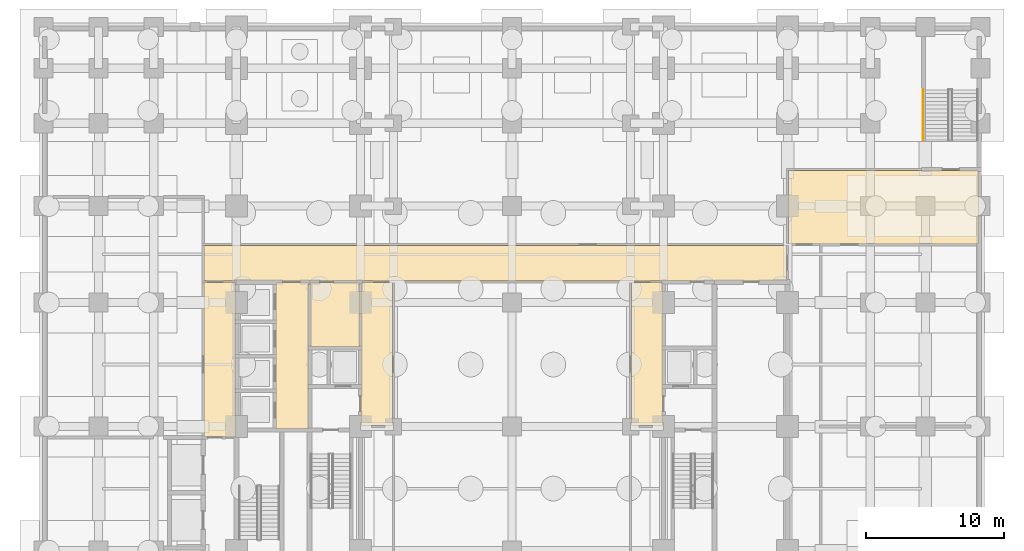
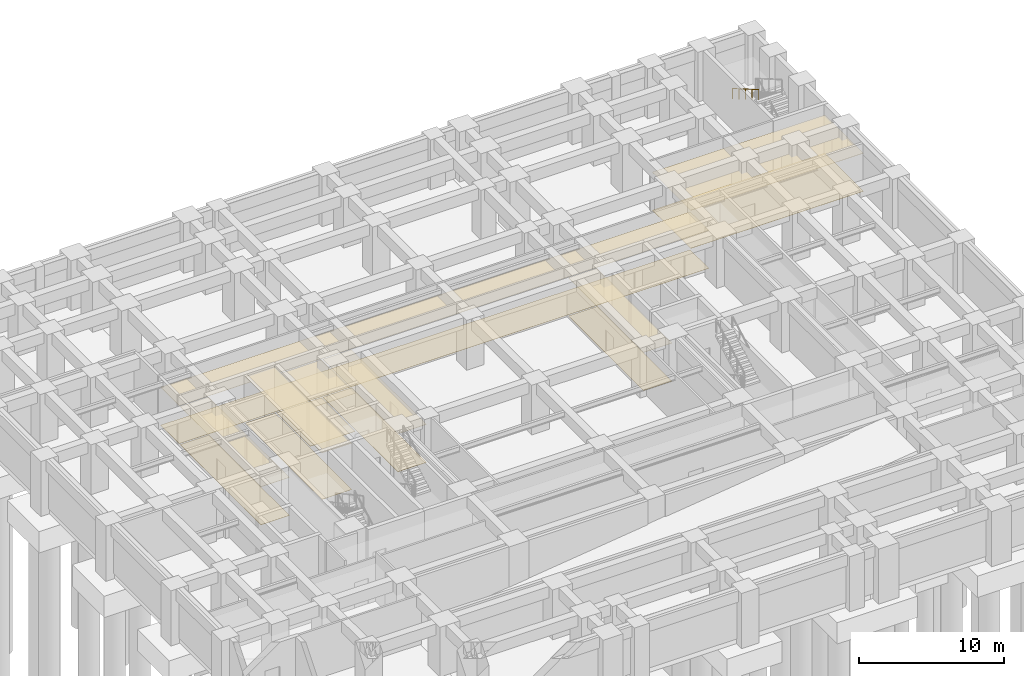
# One storey, part 13 of 16: 14 coverings, 1 railing.
"""IFC4 building model written with IfcOpenShell, lengths in metres."""

from ifc_helpers import new_model, si_unit, direction, frame, origin, origin_2d, place, context, subcontext, project, spatial, polyline, rectangle, outline, extrude, material, layer, layer_set, type_object, element, save


model = new_model("IFC4")

# Units and contexts
model_context = context("Model", 3, precision=1e-05, world=origin(), true_north=direction((0.0, 1.0)))
body_context = subcontext(model_context, "Body", "Model", "MODEL_VIEW")
ifc_project = project(units=[si_unit("LENGTHUNIT", "METRE"), si_unit("AREAUNIT", "SQUARE_METRE"), si_unit("VOLUMEUNIT", "CUBIC_METRE"), si_unit("PLANEANGLEUNIT", "RADIAN"), si_unit("MASSUNIT", "GRAM", prefix="KILO")], contexts=[model_context])

# Site, building, storey
site_placement = place(None, origin())
site = spatial("IfcSite", under=ifc_project, at=site_placement, CompositionType="ELEMENT")
building_placement = place(site_placement, origin())
building = spatial("IfcBuilding", under=site, at=building_placement, Name="Zulmaris Gate Convention Tower", CompositionType="ELEMENT")
storey_placement = place(building_placement, frame((0.0, 0.0, -9.10009765625)))
storey = spatial("IfcBuildingStorey", under=building, at=storey_placement, Name="B2", CompositionType="ELEMENT", Elevation=-9.10009765625)

# Coverings
ifc_material_1 = material(Name="Mineral Fibre Acoustic Ceiling Tile")
ifc_layer_1 = layer(ifc_material_1, 0.02001953125, Name="Mineral Fibre Acoustic Ceiling Tile")
ifc_layer_set_1 = layer_set([ifc_layer_1], Name="Mineral Fibre Acoustic Ceiling Tile")
covering_type_1 = type_object("IfcCoveringType", Name="CLG-ACOUSTIC-600", PredefinedType="CEILING", material=ifc_layer_set_1)
covering_1_placement = place(storey_placement, frame((0.0, 0.0, 3.210205078125)))
element("IfcCovering", 1, at=covering_1_placement, inside=storey, type_object=covering_type_1, Name="CLG-B2-R11", PredefinedType="CEILING", context=body_context, shape_type="SweptSolid", body=[
    extrude(outline(polyline([(-14.639892578125, 5.760009765625), (-11.06005859375, 5.760009765625), (-11.06005859375, 10.43994140625), (-14.639892578125, 10.43994140625), (-14.639892578125, 5.760009765625)])), origin(), (0.0, 0.0, 1.0), 0.019775390625),
])
covering_2_placement = place(storey_placement, frame((0.0, 0.0, 3.920166015625)))
element("IfcCovering", 2, at=covering_2_placement, inside=storey, type_object=covering_type_1, Name="CLG-B2-R15", PredefinedType="CEILING", context=body_context, shape_type="SweptSolid", body=[
    extrude(outline(polyline([(-17.139892578125, -0.18994140625), (-14.760009765625, -0.18994140625), (-14.760009765625, 10.43994140625), (-17.139892578125, 10.43994140625), (-17.139892578125, -0.18994140625)])), origin(), (0.0, 0.0, 1.0), 0.02001953125),
])
covering_3_placement = place(storey_placement, frame((0.0, 0.0, 3.210205078125)))
element("IfcCovering", 3, at=covering_3_placement, inside=storey, type_object=covering_type_1, Name="CLG-B2-R28", PredefinedType="CEILING", context=body_context, shape_type="SweptSolid", body=[
    extrude(outline(polyline([(-22.340087890625, 10.56005859375), (19.93994140625, 10.56005859375), (19.93994140625, 13.139892578125), (-22.340087890625, 13.139892578125), (-22.340087890625, 10.56005859375)])), origin(), (0.0, 0.0, 1.0), 0.019775390625),
])
covering_4_placement = place(storey_placement, frame((0.0, 0.0, 3.210205078125)))
element("IfcCovering", 4, at=covering_4_placement, inside=storey, type_object=covering_type_1, Name="CLG-B2-R30", PredefinedType="CEILING", context=body_context, shape_type="SweptSolid", body=[
    extrude(outline(polyline([(-10.93994140625, 0.06005859375), (-8.659912109375, 0.06005859375), (-8.659912109375, 10.43994140625), (-10.93994140625, 10.43994140625), (-10.93994140625, 0.06005859375)])), origin(), (0.0, 0.0, 1.0), 0.019775390625),
])
covering_5_placement = place(storey_placement, frame((0.0, 0.0, 3.210205078125)))
element("IfcCovering", 5, at=covering_5_placement, inside=storey, type_object=covering_type_1, Name="CLG-B2-R32", PredefinedType="CEILING", context=body_context, shape_type="SweptSolid", body=[
    extrude(outline(polyline([(8.659912109375, 0.06005859375), (10.93994140625, 0.06005859375), (10.93994140625, 10.43994140625), (8.659912109375, 10.43994140625), (8.659912109375, 0.06005859375)])), origin(), (0.0, 0.0, 1.0), 0.019775390625),
])
covering_6_placement = place(storey_placement, frame((0.0, 0.0, 3.210205078125)))
element("IfcCovering", 6, at=covering_6_placement, inside=storey, type_object=covering_type_1, Name="CLG-B2-R34", PredefinedType="CEILING", context=body_context, shape_type="SweptSolid", body=[
    extrude(outline(polyline([(-22.340087890625, -0.739990234375), (-20.06005859375, -0.739990234375), (-20.06005859375, 10.43994140625), (-22.340087890625, 10.43994140625), (-22.340087890625, -0.739990234375)])), origin(), (0.0, 0.0, 1.0), 0.019775390625),
])
covering_7_placement = place(storey_placement, frame((0.0, 0.0, 3.210205078125)))
element("IfcCovering", 7, at=covering_7_placement, inside=storey, type_object=covering_type_1, Name="CLG-B2-R37", PredefinedType="CEILING", context=body_context, shape_type="SweptSolid", body=[
    extrude(outline(polyline([(20.06005859375, 13.260009765625), (33.840087890625, 13.260009765625), (33.840087890625, 18.590087890625), (20.06005859375, 18.590087890625), (20.06005859375, 13.260009765625)])), origin(), (0.0, 0.0, 1.0), 0.019775390625),
])
ifc_material_2 = material(Name="Woven Acoustic Wool Carpet Tile")
ifc_layer_2 = layer(ifc_material_2, 0.02001953125, Name="Woven Acoustic Wool Carpet Tile")
ifc_layer_set_2 = layer_set([ifc_layer_2], Name="Woven Acoustic Wool Carpet Tile")
covering_type_2 = type_object("IfcCoveringType", Name="FLR-CARPET-12", PredefinedType="FLOORING", material=ifc_layer_set_2)
covering_8_placement = place(storey_placement, origin())
element("IfcCovering", 8, at=covering_8_placement, inside=storey, type_object=covering_type_2, Name="FLR-B2-R11", PredefinedType="FLOORING", context=body_context, shape_type="SweptSolid", body=[
    extrude(outline(polyline([(-14.639892578125, 5.760009765625), (-11.06005859375, 5.760009765625), (-11.06005859375, 10.43994140625), (-14.639892578125, 10.43994140625), (-14.639892578125, 5.760009765625)])), origin(), (0.0, 0.0, 1.0), 0.02001953125),
])
covering_9_placement = place(storey_placement, origin())
element("IfcCovering", 9, at=covering_9_placement, inside=storey, type_object=covering_type_2, Name="FLR-B2-R15", PredefinedType="FLOORING", context=body_context, shape_type="SweptSolid", body=[
    extrude(outline(polyline([(-17.139892578125, -0.18994140625), (-14.760009765625, -0.18994140625), (-14.760009765625, 10.43994140625), (-17.139892578125, 10.43994140625), (-17.139892578125, -0.18994140625)])), origin(), (0.0, 0.0, 1.0), 0.02001953125),
])
covering_10_placement = place(storey_placement, origin())
element("IfcCovering", 10, at=covering_10_placement, inside=storey, type_object=covering_type_2, Name="FLR-B2-R28", PredefinedType="FLOORING", context=body_context, shape_type="SweptSolid", body=[
    extrude(outline(polyline([(-22.340087890625, 10.56005859375), (19.93994140625, 10.56005859375), (19.93994140625, 13.139892578125), (-22.340087890625, 13.139892578125), (-22.340087890625, 10.56005859375)])), origin(), (0.0, 0.0, 1.0), 0.02001953125),
])
covering_11_placement = place(storey_placement, origin())
element("IfcCovering", 11, at=covering_11_placement, inside=storey, type_object=covering_type_2, Name="FLR-B2-R30", PredefinedType="FLOORING", context=body_context, shape_type="SweptSolid", body=[
    extrude(outline(polyline([(-10.93994140625, 0.06005859375), (-8.659912109375, 0.06005859375), (-8.659912109375, 10.43994140625), (-10.93994140625, 10.43994140625), (-10.93994140625, 0.06005859375)])), origin(), (0.0, 0.0, 1.0), 0.02001953125),
])
covering_12_placement = place(storey_placement, origin())
element("IfcCovering", 12, at=covering_12_placement, inside=storey, type_object=covering_type_2, Name="FLR-B2-R32", PredefinedType="FLOORING", context=body_context, shape_type="SweptSolid", body=[
    extrude(outline(polyline([(8.659912109375, 0.06005859375), (10.93994140625, 0.06005859375), (10.93994140625, 10.43994140625), (8.659912109375, 10.43994140625), (8.659912109375, 0.06005859375)])), origin(), (0.0, 0.0, 1.0), 0.02001953125),
])
covering_13_placement = place(storey_placement, origin())
element("IfcCovering", 13, at=covering_13_placement, inside=storey, type_object=covering_type_2, Name="FLR-B2-R34", PredefinedType="FLOORING", context=body_context, shape_type="SweptSolid", body=[
    extrude(outline(polyline([(-22.340087890625, -0.739990234375), (-20.06005859375, -0.739990234375), (-20.06005859375, 10.43994140625), (-22.340087890625, 10.43994140625), (-22.340087890625, -0.739990234375)])), origin(), (0.0, 0.0, 1.0), 0.02001953125),
])
covering_14_placement = place(storey_placement, origin())
element("IfcCovering", 14, at=covering_14_placement, inside=storey, type_object=covering_type_2, Name="FLR-B2-R37", PredefinedType="FLOORING", context=body_context, shape_type="SweptSolid", body=[
    extrude(outline(polyline([(20.06005859375, 13.260009765625), (33.840087890625, 13.260009765625), (33.840087890625, 18.590087890625), (20.06005859375, 18.590087890625), (20.06005859375, 13.260009765625)])), origin(), (0.0, 0.0, 1.0), 0.02001953125),
])

# Railing
ifc_material_3 = material(Name="Brushed Stainless Steel", Category="steel")
railing_type = type_object("IfcRailingType", Name="RL-STH-900", PredefinedType="HANDRAIL", material=ifc_material_3)
railing_placement = place(storey_placement, frame((29.830078125, 24.43994140625, 2.4375)))
element("IfcRailing", 15, at=railing_placement, inside=storey, type_object=railing_type, Name="B2 ST-5 stair handrail 2", PredefinedType="HANDRAIL", context=body_context, shape_type="SweptSolid", body=[
    extrude(rectangle(XDim=0.048095703125, YDim=0.048095703125, at=origin_2d()), frame((0.0, 0.0, 0.8759765625), z_axis=(0.0, -0.864885630581, 0.501968969174), x_axis=(1.0, 0.0, 0.0)), (0.0, 0.0, 1.0), 4.20849609375),
    extrude(rectangle(XDim=0.0419921875, YDim=0.0419921875, at=origin_2d()), origin(), (0.0, 0.0, 1.0), 0.851806640625),
    extrude(rectangle(XDim=0.0419921875, YDim=0.0419921875, at=origin_2d()), frame((0.0, -0.909912109375, 0.528076171875)), (0.0, 0.0, 1.0), 0.851806640625),
    extrude(rectangle(XDim=0.0419921875, YDim=0.0419921875, at=origin_2d()), frame((0.0, -1.81982421875, 1.05615234375)), (0.0, 0.0, 1.0), 0.851806640625),
    extrude(rectangle(XDim=0.0419921875, YDim=0.0419921875, at=origin_2d()), frame((0.0, -2.72998046875, 1.58447265625)), (0.0, 0.0, 1.0), 0.851806640625),
    extrude(rectangle(XDim=0.0419921875, YDim=0.0419921875, at=origin_2d()), frame((0.0, -3.639892578125, 2.112548828125)), (0.0, 0.0, 1.0), 0.851806640625),
])

save(model, "model.ifc")
